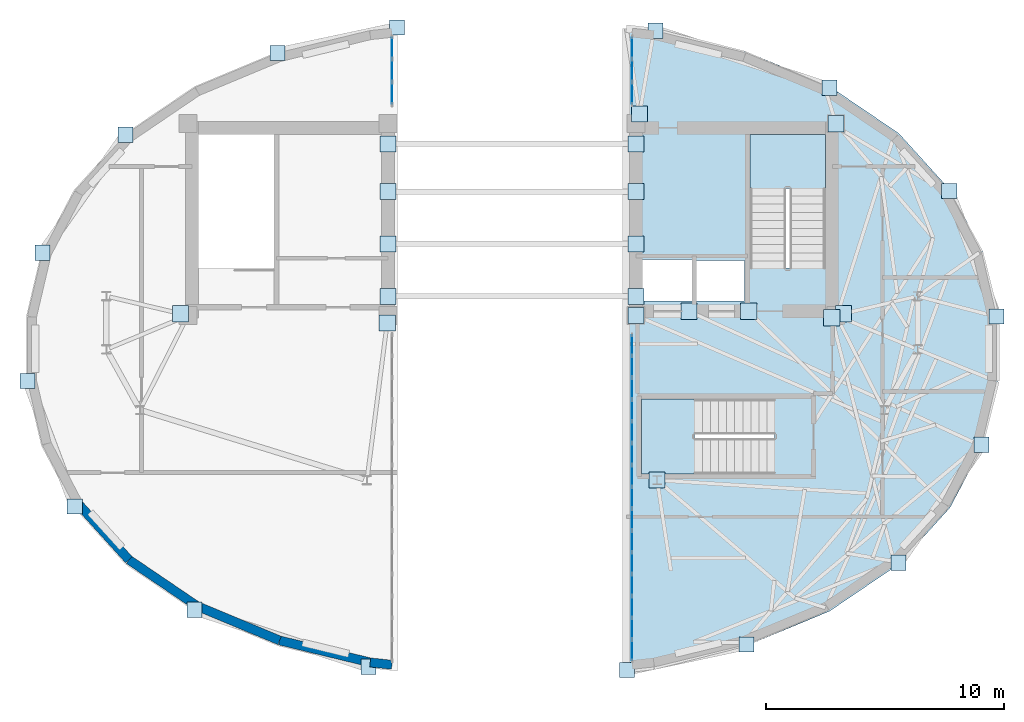
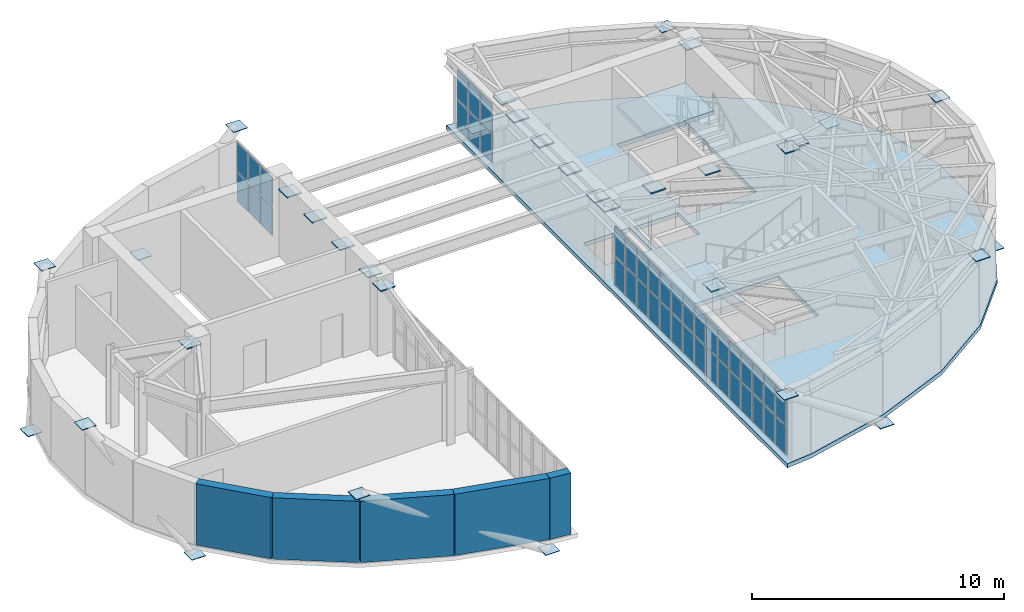
# One storey, part 8 of 13: 76 plates, 5 walls, 3 slabs, 5 elements without a shape of their own.
"""IFC4 building model written with IfcOpenShell, lengths in metres."""

from ifc_helpers import new_model, si_unit, direction, frame, frame_2d, origin, origin_2d, place, context, subcontext, project, spatial, polyline, rectangle, outline, extrude, material, layer, layer_set, type_object, element, aggregate, save


model = new_model("IFC4")

# Units and contexts
model_context = context("Model", 3, precision=1e-05, world=origin(), true_north=direction((0.0, 1.0)))
body_context = subcontext(model_context, "Body", "Model", "MODEL_VIEW")
ifc_project = project(units=[si_unit("LENGTHUNIT", "METRE"), si_unit("AREAUNIT", "SQUARE_METRE"), si_unit("VOLUMEUNIT", "CUBIC_METRE"), si_unit("PLANEANGLEUNIT", "RADIAN"), si_unit("MASSUNIT", "GRAM", prefix="KILO")], contexts=[model_context])

# Site, building, storey
site_placement = place(None, origin())
site = spatial("IfcSite", under=ifc_project, at=site_placement, CompositionType="ELEMENT")
building_placement = place(site_placement, origin())
building = spatial("IfcBuilding", under=site, at=building_placement, Name="Keldmark Tower", CompositionType="ELEMENT")
storey_placement = place(building_placement, frame((0.0, 0.0, 280.60009765625)))
storey = spatial("IfcBuildingStorey", under=building, at=storey_placement, Name="L79", CompositionType="ELEMENT", Elevation=280.60009765625)

# Plates
ifc_material_1 = material(Name="Steel ASTM A572 Grade 50", Category="steel")
ifc_layer_1 = layer(ifc_material_1, 0.06005859375)
ifc_layer_set_1 = layer_set([ifc_layer_1], Name="Steel ASTM A572 Grade 50")
plate_type_1 = type_object("IfcPlateType", Name="Belt Truss Kink Node Assembly KN01 60 mm", PredefinedType="USERDEFINED", material=ifc_layer_set_1)
for number, where, z_axis, x_axis, name in (
    (1, (-5.199951171875, 2.199951171875, 3.2666015625), (0.0, 0.0, 1.0), (1.0, 0.0, 0.0), "L79 Core Wall Cast-In Embed Plate 2236"),
    (2, (5.199951171875, 2.199951171875, 3.2666015625), (0.0, 0.0, 1.0), (1.0, 0.0, 0.0), "L79 Core Wall Cast-In Embed Plate 2237"),
    (3, (-5.199951171875, 4.39990234375, 3.2666015625), (0.0, 0.0, 1.0), (1.0, 0.0, 0.0), "L79 Core Wall Cast-In Embed Plate 2238"),
    (4, (5.199951171875, 4.39990234375, 3.2666015625), (0.0, 0.0, 1.0), (1.0, 0.0, 0.0), "L79 Core Wall Cast-In Embed Plate 2239"),
    (5, (-5.199951171875, 6.60009765625, 3.2666015625), (0.0, 0.0, 1.0), (1.0, 0.0, 0.0), "L79 Core Wall Cast-In Embed Plate 2240"),
    (6, (5.199951171875, 6.60009765625, 3.2666015625), (0.0, 0.0, 1.0), (1.0, 0.0, 0.0), "L79 Core Wall Cast-In Embed Plate 2241"),
    (7, (-5.199951171875, 8.60009765625, 3.2666015625), (0.0, 0.0, 1.0), (1.0, 0.0, 0.0), "L79 Core Wall Cast-In Embed Plate 2242"),
    (8, (5.199951171875, 8.60009765625, 3.2666015625), (0.0, 0.0, 1.0), (1.0, 0.0, 0.0), "L79 Core Wall Cast-In Embed Plate 2243"),
    (9, (13.91162109375, 1.473388671875, 3.30810546875), (0.0, 0.0, 1.0), (1.0, 0.0, 0.0), "L79 Core Wall Cast-In Embed Plate 2244"),
    (10, (-13.91162109375, 1.473388671875, 3.30810546875), (0.0, 0.0, 1.0), (1.0, 0.0, 0.0), "L79 Core Wall Cast-In Embed Plate 2245"),
    (11, (-5.24072265625, 1.08251953125, 3.30810546875), (0.0, 0.0, 1.0), (1.0, 0.0, 0.0), "L79 Core Wall Cast-In Embed Plate 2246"),
    (12, (5.199951171875, 1.39990234375, 3.30810546875), (0.0, 0.0, 1.0), (1.0, 0.0, 0.0), "L79 Core Wall Cast-In Embed Plate 2247"),
    (13, (7.43212890625, 1.574951171875, 3.30810546875), (0.0, 0.0, 1.0), (1.0, 0.0, 0.0), "L79 Core Wall Cast-In Embed Plate 2248"),
    (14, (9.939208984375, 1.574951171875, 3.30810546875), (0.0, 0.0, 1.0), (1.0, 0.0, 0.0), "L79 Core Wall Cast-In Embed Plate 2249"),
    (15, (13.425048828125, 1.300048828125, 3.30810546875), (0.0, 0.0, 1.0), (1.0, 0.0, 0.0), "L79 Core Wall Cast-In Embed Plate 2250"),
    (16, (6.089599609375, -5.512939453125, 3.30810546875), (0.0, 0.0, 1.0), (1.0, 0.0, 0.0), "L79 Core Wall Cast-In Embed Plate 2251"),
    (17, (13.60009765625, 9.449951171875, 3.30810546875), (0.0, 0.0, 1.0), (1.0, 0.0, 0.0), "L79 Core Wall Cast-In Embed Plate 2252"),
    (18, (5.35009765625, 9.85009765625, 3.30810546875), (0.0, 0.0, 1.0), (1.0, 0.0, 0.0), "L79 Core Wall Cast-In Embed Plate 2253"),
):
    element("IfcPlate", number, at=place(storey_placement, frame(where, z_axis=z_axis, x_axis=x_axis)), inside=storey, type_object=plate_type_1, Name=name, ObjectType="CAP PLATE", PredefinedType="USERDEFINED", context=body_context, shape_type="SweptSolid", body=[
        extrude(rectangle(XDim=0.679931640625, YDim=0.679931640625, at=origin_2d()), origin(), (0.0, 0.0, 1.0), 0.054931640625),
    ])
ifc_material_2 = material(Name="Steel ASTM A572 Grade 50", Category="steel")
ifc_layer_2 = layer(ifc_material_2, 0.030029296875)
ifc_layer_set_2 = layer_set([ifc_layer_2], Name="Steel ASTM A572 Grade 50")
plate_type_2 = type_object("IfcPlateType", Name="Crown Frame End Cap Plate CP01 30 mm", PredefinedType="SHEET", material=ifc_layer_set_2)
for number, where, z_axis, x_axis, name in (
    (19, (6.023681640625, 13.351318359375, -0.46533203125), (0.0, 0.0, 1.0), (1.0, 0.0, 0.0), "L79 Crown Frame Node Cap E00-0"),
    (20, (13.329345703125, 10.955810546875, 3.3349609375), (0.0, 0.0, 1.0), (1.0, 0.0, 0.0), "L79 Crown Frame Node Cap E00-1"),
    (21, (18.353759765625, 6.618408203125, -0.46533203125), (0.0, 0.0, 1.0), (1.0, 0.0, 0.0), "L79 Crown Frame Node Cap E04-0"),
    (22, (20.33349609375, 1.3505859375, 3.3349609375), (0.0, 0.0, 1.0), (1.0, 0.0, 0.0), "L79 Crown Frame Node Cap E04-1"),
    (23, (19.7099609375, -4.032958984375, -0.46533203125), (0.0, 0.0, 1.0), (1.0, 0.0, 0.0), "L79 Crown Frame Node Cap E08-0"),
    (24, (16.22314453125, -8.98291015625, 3.3349609375), (0.0, 0.0, 1.0), (1.0, 0.0, 0.0), "L79 Crown Frame Node Cap E08-1"),
    (25, (9.84619140625, -12.416015625, -0.46533203125), (0.0, 0.0, 1.0), (1.0, 0.0, 0.0), "L79 Crown Frame Node Cap E12-0"),
    (26, (4.832763671875, -13.481689453125, 3.3349609375), (0.0, 0.0, 1.0), (1.0, 0.0, 0.0), "L79 Crown Frame Node Cap E12-1"),
    (27, (-6.023681640625, -13.351318359375, -0.46533203125), (0.0, 0.0, 1.0), (1.0, 0.0, 0.0), "L79 Crown Frame Node Cap W00-0"),
    (28, (-13.329345703125, -10.955810546875, 3.3349609375), (0.0, 0.0, 1.0), (1.0, 0.0, 0.0), "L79 Crown Frame Node Cap W00-1"),
    (29, (-18.353759765625, -6.618408203125, -0.46533203125), (0.0, 0.0, 1.0), (1.0, 0.0, 0.0), "L79 Crown Frame Node Cap W04-0"),
    (30, (-20.33349609375, -1.3505859375, 3.3349609375), (0.0, 0.0, 1.0), (1.0, 0.0, 0.0), "L79 Crown Frame Node Cap W04-1"),
    (31, (-19.7099609375, 4.032958984375, -0.46533203125), (0.0, 0.0, 1.0), (1.0, 0.0, 0.0), "L79 Crown Frame Node Cap W08-0"),
    (32, (-16.22314453125, 8.98291015625, 3.3349609375), (0.0, 0.0, 1.0), (1.0, 0.0, 0.0), "L79 Crown Frame Node Cap W08-1"),
    (33, (-9.84619140625, 12.416015625, -0.46533203125), (0.0, 0.0, 1.0), (1.0, 0.0, 0.0), "L79 Crown Frame Node Cap W12-0"),
    (34, (-4.832763671875, 13.481689453125, 3.3349609375), (0.0, 0.0, 1.0), (1.0, 0.0, 0.0), "L79 Crown Frame Node Cap W12-1"),
):
    element("IfcPlate", number, at=place(storey_placement, frame(where, z_axis=z_axis, x_axis=x_axis)), inside=storey, type_object=plate_type_2, Name=name, PredefinedType="SHEET", context=body_context, shape_type="SweptSolid", body=[
        extrude(rectangle(XDim=0.639892578125, YDim=0.639892578125, at=origin_2d()), origin(), (0.0, 0.0, 1.0), 0.030029296875),
    ])

# Slab
ifc_material_3 = material(Name="Concrete C35/45", Category="concrete")
ifc_layer_3 = layer(ifc_material_3, 0.199951171875)
ifc_layer_set_3 = layer_set([ifc_layer_3], Name="Concrete C35/45")
slab_type_1 = type_object("IfcSlabType", Name="Low-Rise Office Composite Slab 200 mm", PredefinedType="FLOOR", material=ifc_layer_set_3)
slab_1_placement = place(storey_placement, frame((0.0, 0.0, -0.2001953125)))
element("IfcSlab", 35, at=slab_1_placement, inside=storey, type_object=slab_type_1, Name="L79 East Crown Plant Floor Slab", PredefinedType="FLOOR", context=body_context, shape_type="SweptSolid", body=[
    extrude(outline(polyline([(5.994140625, 13.403564453125), (9.8291015625, 12.473388671875), (13.327880859375, 11.015869140625), (16.239990234375, 9.04052734375), (18.388916015625, 6.667236328125), (19.760009765625, 4.06591796875), (20.392333984375, 1.3623046875), (20.392333984375, -1.3623046875), (19.760009765625, -4.06591796875), (18.388916015625, -6.667236328125), (16.239990234375, -9.04052734375), (13.327880859375, -11.015869140625), (9.8291015625, -12.473388671875), (5.994140625, -13.403564453125), (4.800048828125, -13.531982421875), (4.800048828125, 13.531982421875), (5.994140625, 13.403564453125)]), holes=[polyline([(13.14990234375, 3.385009765625), (13.14990234375, 9.0), (10.0, 9.0), (10.0, 3.385009765625), (13.14990234375, 3.385009765625)]), polyline([(11.014892578125, -2.10009765625), (5.43994140625, -2.10009765625), (5.43994140625, -5.25), (11.014892578125, -5.25), (11.014892578125, -2.10009765625)]), polyline([(7.75, 2.0), (9.75, 2.0), (9.75, 3.699951171875), (7.75, 3.699951171875), (7.75, 2.0)]), polyline([(5.449951171875, 2.0), (7.550048828125, 2.0), (7.550048828125, 3.75), (5.449951171875, 3.75), (5.449951171875, 2.0)])]), origin(), (0.0, 0.0, 1.0), 0.2001953125),
])

# Stair, slab
ifc_material_4 = material(Name="Concrete C40/50", Category="concrete")
stair_type = type_object("IfcStairType", Name="Precast Concrete Core Exit Stair", PredefinedType="HALF_TURN_STAIR", material=ifc_material_4)
stair_1_placement = place(storey_placement, origin())
stair_1 = element("IfcStair", 36, at=stair_1_placement, inside=storey, type_object=stair_type, Name="L79 Exit Stair ST2", PredefinedType="HALF_TURN_STAIR")
ifc_material_5 = material(Name="Concrete C40/50", Category="concrete")
ifc_layer_4 = layer(ifc_material_5, 0.199951171875)
ifc_layer_set_4 = layer_set([ifc_layer_4], Name="Concrete C40/50")
slab_type_2 = type_object("IfcSlabType", Name="Reinforced Concrete Stair Landing 200 mm", PredefinedType="LANDING", material=ifc_layer_set_4)
slab_2_placement = place(storey_placement, frame((0.0, 0.0, 1.699951171875)))
slab_2 = element("IfcSlab", 37, at=slab_2_placement, type_object=slab_type_2, Name="ST2 landing 1", PredefinedType="LANDING", context=body_context, shape_type="SweptSolid", body=[
    extrude(outline(polyline([(13.14990234375, 6.72998046875), (13.14990234375, 9.0), (10.0, 9.0), (10.0, 6.72998046875), (13.14990234375, 6.72998046875)])), origin(), (0.0, 0.0, 1.0), 0.199951171875),
])
aggregate(stair_1, [slab_2])

stair_2_placement = place(storey_placement, origin())
stair_2 = element("IfcStair", 38, at=stair_2_placement, inside=storey, type_object=stair_type, Name="L79 East Crown Exit Stair ST4", PredefinedType="HALF_TURN_STAIR")
slab_3_placement = place(storey_placement, frame((0.0, 0.0, 1.699951171875)))
slab_3 = element("IfcSlab", 39, at=slab_3_placement, type_object=slab_type_2, Name="ST4 landing 1", PredefinedType="LANDING", context=body_context, shape_type="SweptSolid", body=[
    extrude(outline(polyline([(7.669921875, -2.10009765625), (5.43994140625, -2.10009765625), (5.43994140625, -5.25), (7.669921875, -5.25), (7.669921875, -2.10009765625)])), origin(), (0.0, 0.0, 1.0), 0.199951171875),
])
aggregate(stair_2, [slab_3])

# Curtain wall, plates
ifc_material_6 = material(Name="Unitized Thermally Broken Aluminum and Triple Low-E Glazing", Category="aluminium")
ifc_layer_5 = layer(ifc_material_6, 0.219970703125)
ifc_layer_set_5 = layer_set([ifc_layer_5], Name="Unitized Thermally Broken Aluminum and Triple Low-E Glazing")
curtain_wall_type = type_object("IfcCurtainWallType", Name="Split-Top Crown Lantern Curtain Wall System", PredefinedType="NOTDEFINED", material=ifc_layer_set_5)
curtain_wall_1_placement = place(storey_placement, origin())
curtain_wall_1 = element("IfcCurtainWall", 40, at=curtain_wall_1_placement, inside=storey, type_object=curtain_wall_type, Name="L79 Split-Top Crown Lantern Curtain Wall System CW-L79-ES14-0", PredefinedType="NOTDEFINED")
ifc_material_7 = material(Name="Triple Silver Low-E Insulated Glass Unit", Category="glass")
ifc_layer_6 = layer(ifc_material_7, 0.035888671875)
ifc_layer_set_6 = layer_set([ifc_layer_6], Name="Triple Silver Low-E Insulated Glass Unit")
plate_type_3 = type_object("IfcPlateType", Name="Triple Low-E Vision Glazing Panel 36 mm", PredefinedType="CURTAIN_PANEL", material=ifc_layer_set_6)
plate_1_placement = place(storey_placement, frame((5.0400390625, 12.627197265625, 0.059814453125), z_axis=(0.0, 0.0, 1.0), x_axis=(0.0, -1.0, 0.0)))
plate_1 = element("IfcPlate", 41, at=plate_1_placement, type_object=plate_type_3, Name="CW panel 1.1", PredefinedType="CURTAIN_PANEL", context=body_context, shape_type="SweptSolid", body=[
    extrude(rectangle(XDim=0.87548828125, YDim=0.035888671875, at=origin_2d()), origin(), (0.0, 0.0, 1.0), 1.39306640625),
])
plate_2_placement = place(storey_placement, frame((5.0400390625, 12.627197265625, 1.512939453125), z_axis=(0.0, 0.0, 1.0), x_axis=(0.0, -1.0, 0.0)))
plate_2 = element("IfcPlate", 42, at=plate_2_placement, type_object=plate_type_3, Name="CW panel 1.2", PredefinedType="CURTAIN_PANEL", context=body_context, shape_type="SweptSolid", body=[
    extrude(rectangle(XDim=0.87548828125, YDim=0.035888671875, at=origin_2d()), origin(), (0.0, 0.0, 1.0), 1.39306640625),
])
plate_3_placement = place(storey_placement, frame((5.0400390625, 11.6767578125, 0.059814453125), z_axis=(0.0, 0.0, 1.0), x_axis=(0.0, -1.0, 0.0)))
plate_3 = element("IfcPlate", 43, at=plate_3_placement, type_object=plate_type_3, Name="CW panel 2.1", PredefinedType="CURTAIN_PANEL", context=body_context, shape_type="SweptSolid", body=[
    extrude(rectangle(XDim=0.905517578125, YDim=0.035888671875, at=origin_2d()), origin(), (0.0, 0.0, 1.0), 1.39306640625),
])
plate_4_placement = place(storey_placement, frame((5.0400390625, 11.6767578125, 1.512939453125), z_axis=(0.0, 0.0, 1.0), x_axis=(0.0, -1.0, 0.0)))
plate_4 = element("IfcPlate", 44, at=plate_4_placement, type_object=plate_type_3, Name="CW panel 2.2", PredefinedType="CURTAIN_PANEL", context=body_context, shape_type="SweptSolid", body=[
    extrude(rectangle(XDim=0.905517578125, YDim=0.035888671875, at=origin_2d()), origin(), (0.0, 0.0, 1.0), 1.39306640625),
])
plate_5_placement = place(storey_placement, frame((5.0400390625, 10.726318359375, 0.059814453125), z_axis=(0.0, 0.0, 1.0), x_axis=(0.0, -1.0, 0.0)))
plate_5 = element("IfcPlate", 45, at=plate_5_placement, type_object=plate_type_3, Name="CW panel 3.1", PredefinedType="CURTAIN_PANEL", context=body_context, shape_type="SweptSolid", body=[
    extrude(rectangle(XDim=0.87548828125, YDim=0.035888671875, at=origin_2d()), origin(), (0.0, 0.0, 1.0), 1.39306640625),
])
plate_6_placement = place(storey_placement, frame((5.0400390625, 10.726318359375, 1.512939453125), z_axis=(0.0, 0.0, 1.0), x_axis=(0.0, -1.0, 0.0)))
plate_6 = element("IfcPlate", 46, at=plate_6_placement, type_object=plate_type_3, Name="CW panel 3.2", PredefinedType="CURTAIN_PANEL", context=body_context, shape_type="SweptSolid", body=[
    extrude(rectangle(XDim=0.87548828125, YDim=0.035888671875, at=origin_2d()), origin(), (0.0, 0.0, 1.0), 1.39306640625),
])
aggregate(curtain_wall_1, [plate_1, plate_2, plate_3, plate_4, plate_5, plate_6])

curtain_wall_2_placement = place(storey_placement, origin())
curtain_wall_2 = element("IfcCurtainWall", 47, at=curtain_wall_2_placement, inside=storey, type_object=curtain_wall_type, Name="L79 Split-Top Crown Lantern Curtain Wall System CW-L79-ES14-1", PredefinedType="NOTDEFINED")
plate_7_placement = place(storey_placement, frame((5.0400390625, 0.148193359375, 0.059814453125), z_axis=(0.0, 0.0, 1.0), x_axis=(0.0, -1.0, 0.0)))
plate_7 = element("IfcPlate", 48, at=plate_7_placement, type_object=plate_type_3, Name="CW panel 1.1", PredefinedType="CURTAIN_PANEL", context=body_context, shape_type="SweptSolid", body=[
    extrude(rectangle(XDim=0.826416015625, YDim=0.035888671875, at=origin_2d()), origin(), (0.0, 0.0, 1.0), 1.39306640625),
])
plate_8_placement = place(storey_placement, frame((5.0400390625, 0.148193359375, 1.512939453125), z_axis=(0.0, 0.0, 1.0), x_axis=(0.0, -1.0, 0.0)))
plate_8 = element("IfcPlate", 49, at=plate_8_placement, type_object=plate_type_3, Name="CW panel 1.2", PredefinedType="CURTAIN_PANEL", context=body_context, shape_type="SweptSolid", body=[
    extrude(rectangle(XDim=0.826416015625, YDim=0.035888671875, at=origin_2d()), origin(), (0.0, 0.0, 1.0), 1.39306640625),
])
plate_9_placement = place(storey_placement, frame((5.0400390625, -0.753173828125, 0.059814453125), z_axis=(0.0, 0.0, 1.0), x_axis=(0.0, -1.0, 0.0)))
plate_9 = element("IfcPlate", 50, at=plate_9_placement, type_object=plate_type_3, Name="CW panel 2.1", PredefinedType="CURTAIN_PANEL", context=body_context, shape_type="SweptSolid", body=[
    extrude(rectangle(XDim=0.8564453125, YDim=0.035888671875, at=origin_2d()), origin(), (0.0, 0.0, 1.0), 1.39306640625),
])
plate_10_placement = place(storey_placement, frame((5.0400390625, -0.753173828125, 1.512939453125), z_axis=(0.0, 0.0, 1.0), x_axis=(0.0, -1.0, 0.0)))
plate_10 = element("IfcPlate", 51, at=plate_10_placement, type_object=plate_type_3, Name="CW panel 2.2", PredefinedType="CURTAIN_PANEL", context=body_context, shape_type="SweptSolid", body=[
    extrude(rectangle(XDim=0.8564453125, YDim=0.035888671875, at=origin_2d()), origin(), (0.0, 0.0, 1.0), 1.39306640625),
])
plate_11_placement = place(storey_placement, frame((5.0400390625, -1.66943359375, 0.059814453125), z_axis=(0.0, 0.0, 1.0), x_axis=(0.0, -1.0, 0.0)))
plate_11 = element("IfcPlate", 52, at=plate_11_placement, type_object=plate_type_3, Name="CW panel 3.1", PredefinedType="CURTAIN_PANEL", context=body_context, shape_type="SweptSolid", body=[
    extrude(rectangle(XDim=0.8564453125, YDim=0.035888671875, at=origin_2d()), origin(), (0.0, 0.0, 1.0), 1.39306640625),
])
plate_12_placement = place(storey_placement, frame((5.0400390625, -1.66943359375, 1.512939453125), z_axis=(0.0, 0.0, 1.0), x_axis=(0.0, -1.0, 0.0)))
plate_12 = element("IfcPlate", 53, at=plate_12_placement, type_object=plate_type_3, Name="CW panel 3.2", PredefinedType="CURTAIN_PANEL", context=body_context, shape_type="SweptSolid", body=[
    extrude(rectangle(XDim=0.8564453125, YDim=0.035888671875, at=origin_2d()), origin(), (0.0, 0.0, 1.0), 1.39306640625),
])
plate_13_placement = place(storey_placement, frame((5.0400390625, -2.5859375, 0.059814453125), z_axis=(0.0, 0.0, 1.0), x_axis=(0.0, -1.0, 0.0)))
plate_13 = element("IfcPlate", 54, at=plate_13_placement, type_object=plate_type_3, Name="CW panel 4.1", PredefinedType="CURTAIN_PANEL", context=body_context, shape_type="SweptSolid", body=[
    extrude(rectangle(XDim=0.8564453125, YDim=0.035888671875, at=origin_2d()), origin(), (0.0, 0.0, 1.0), 1.39306640625),
])
plate_14_placement = place(storey_placement, frame((5.0400390625, -2.5859375, 1.512939453125), z_axis=(0.0, 0.0, 1.0), x_axis=(0.0, -1.0, 0.0)))
plate_14 = element("IfcPlate", 55, at=plate_14_placement, type_object=plate_type_3, Name="CW panel 4.2", PredefinedType="CURTAIN_PANEL", context=body_context, shape_type="SweptSolid", body=[
    extrude(rectangle(XDim=0.8564453125, YDim=0.035888671875, at=origin_2d()), origin(), (0.0, 0.0, 1.0), 1.39306640625),
])
plate_15_placement = place(storey_placement, frame((5.0400390625, -3.50244140625, 0.059814453125), z_axis=(0.0, 0.0, 1.0), x_axis=(0.0, -1.0, 0.0)))
plate_15 = element("IfcPlate", 56, at=plate_15_placement, type_object=plate_type_3, Name="CW panel 5.1", PredefinedType="CURTAIN_PANEL", context=body_context, shape_type="SweptSolid", body=[
    extrude(rectangle(XDim=0.8564453125, YDim=0.035888671875, at=origin_2d()), origin(), (0.0, 0.0, 1.0), 1.39306640625),
])
plate_16_placement = place(storey_placement, frame((5.0400390625, -3.50244140625, 1.512939453125), z_axis=(0.0, 0.0, 1.0), x_axis=(0.0, -1.0, 0.0)))
plate_16 = element("IfcPlate", 57, at=plate_16_placement, type_object=plate_type_3, Name="CW panel 5.2", PredefinedType="CURTAIN_PANEL", context=body_context, shape_type="SweptSolid", body=[
    extrude(rectangle(XDim=0.8564453125, YDim=0.035888671875, at=origin_2d()), origin(), (0.0, 0.0, 1.0), 1.39306640625),
])
plate_17_placement = place(storey_placement, frame((5.0400390625, -4.418701171875, 0.059814453125), z_axis=(0.0, 0.0, 1.0), x_axis=(0.0, -1.0, 0.0)))
plate_17 = element("IfcPlate", 58, at=plate_17_placement, type_object=plate_type_3, Name="CW panel 6.1", PredefinedType="CURTAIN_PANEL", context=body_context, shape_type="SweptSolid", body=[
    extrude(rectangle(XDim=0.8564453125, YDim=0.035888671875, at=origin_2d()), origin(), (0.0, 0.0, 1.0), 1.39306640625),
])
plate_18_placement = place(storey_placement, frame((5.0400390625, -4.418701171875, 1.512939453125), z_axis=(0.0, 0.0, 1.0), x_axis=(0.0, -1.0, 0.0)))
plate_18 = element("IfcPlate", 59, at=plate_18_placement, type_object=plate_type_3, Name="CW panel 6.2", PredefinedType="CURTAIN_PANEL", context=body_context, shape_type="SweptSolid", body=[
    extrude(rectangle(XDim=0.8564453125, YDim=0.035888671875, at=origin_2d()), origin(), (0.0, 0.0, 1.0), 1.39306640625),
])
plate_19_placement = place(storey_placement, frame((5.0400390625, -5.335205078125, 0.059814453125), z_axis=(0.0, 0.0, 1.0), x_axis=(0.0, -1.0, 0.0)))
plate_19 = element("IfcPlate", 60, at=plate_19_placement, type_object=plate_type_3, Name="CW panel 7.1", PredefinedType="CURTAIN_PANEL", context=body_context, shape_type="SweptSolid", body=[
    extrude(rectangle(XDim=0.8564453125, YDim=0.035888671875, at=origin_2d()), origin(), (0.0, 0.0, 1.0), 1.39306640625),
])
plate_20_placement = place(storey_placement, frame((5.0400390625, -5.335205078125, 1.512939453125), z_axis=(0.0, 0.0, 1.0), x_axis=(0.0, -1.0, 0.0)))
plate_20 = element("IfcPlate", 61, at=plate_20_placement, type_object=plate_type_3, Name="CW panel 7.2", PredefinedType="CURTAIN_PANEL", context=body_context, shape_type="SweptSolid", body=[
    extrude(rectangle(XDim=0.8564453125, YDim=0.035888671875, at=origin_2d()), origin(), (0.0, 0.0, 1.0), 1.39306640625),
])
plate_21_placement = place(storey_placement, frame((5.0400390625, -6.251708984375, 0.059814453125), z_axis=(0.0, 0.0, 1.0), x_axis=(0.0, -1.0, 0.0)))
plate_21 = element("IfcPlate", 62, at=plate_21_placement, type_object=plate_type_3, Name="CW panel 8.1", PredefinedType="CURTAIN_PANEL", context=body_context, shape_type="SweptSolid", body=[
    extrude(rectangle(XDim=0.8564453125, YDim=0.035888671875, at=origin_2d()), origin(), (0.0, 0.0, 1.0), 1.39306640625),
])
plate_22_placement = place(storey_placement, frame((5.0400390625, -6.251708984375, 1.512939453125), z_axis=(0.0, 0.0, 1.0), x_axis=(0.0, -1.0, 0.0)))
plate_22 = element("IfcPlate", 63, at=plate_22_placement, type_object=plate_type_3, Name="CW panel 8.2", PredefinedType="CURTAIN_PANEL", context=body_context, shape_type="SweptSolid", body=[
    extrude(rectangle(XDim=0.8564453125, YDim=0.035888671875, at=origin_2d()), origin(), (0.0, 0.0, 1.0), 1.39306640625),
])
plate_23_placement = place(storey_placement, frame((5.0400390625, -7.16796875, 0.059814453125), z_axis=(0.0, 0.0, 1.0), x_axis=(0.0, -1.0, 0.0)))
plate_23 = element("IfcPlate", 64, at=plate_23_placement, type_object=plate_type_3, Name="CW panel 9.1", PredefinedType="CURTAIN_PANEL", context=body_context, shape_type="SweptSolid", body=[
    extrude(rectangle(XDim=0.8564453125, YDim=0.035888671875, at=origin_2d()), origin(), (0.0, 0.0, 1.0), 1.39306640625),
])
plate_24_placement = place(storey_placement, frame((5.0400390625, -7.16796875, 1.512939453125), z_axis=(0.0, 0.0, 1.0), x_axis=(0.0, -1.0, 0.0)))
plate_24 = element("IfcPlate", 65, at=plate_24_placement, type_object=plate_type_3, Name="CW panel 9.2", PredefinedType="CURTAIN_PANEL", context=body_context, shape_type="SweptSolid", body=[
    extrude(rectangle(XDim=0.8564453125, YDim=0.035888671875, at=origin_2d()), origin(), (0.0, 0.0, 1.0), 1.39306640625),
])
plate_25_placement = place(storey_placement, frame((5.0400390625, -8.08447265625, 0.059814453125), z_axis=(0.0, 0.0, 1.0), x_axis=(0.0, -1.0, 0.0)))
plate_25 = element("IfcPlate", 66, at=plate_25_placement, type_object=plate_type_3, Name="CW panel 10.1", PredefinedType="CURTAIN_PANEL", context=body_context, shape_type="SweptSolid", body=[
    extrude(rectangle(XDim=0.8564453125, YDim=0.035888671875, at=origin_2d()), origin(), (0.0, 0.0, 1.0), 1.39306640625),
])
plate_26_placement = place(storey_placement, frame((5.0400390625, -8.08447265625, 1.512939453125), z_axis=(0.0, 0.0, 1.0), x_axis=(0.0, -1.0, 0.0)))
plate_26 = element("IfcPlate", 67, at=plate_26_placement, type_object=plate_type_3, Name="CW panel 10.2", PredefinedType="CURTAIN_PANEL", context=body_context, shape_type="SweptSolid", body=[
    extrude(rectangle(XDim=0.8564453125, YDim=0.035888671875, at=origin_2d()), origin(), (0.0, 0.0, 1.0), 1.39306640625),
])
plate_27_placement = place(storey_placement, frame((5.0400390625, -9.0009765625, 0.059814453125), z_axis=(0.0, 0.0, 1.0), x_axis=(0.0, -1.0, 0.0)))
plate_27 = element("IfcPlate", 68, at=plate_27_placement, type_object=plate_type_3, Name="CW panel 11.1", PredefinedType="CURTAIN_PANEL", context=body_context, shape_type="SweptSolid", body=[
    extrude(rectangle(XDim=0.8564453125, YDim=0.035888671875, at=origin_2d()), origin(), (0.0, 0.0, 1.0), 1.39306640625),
])
plate_28_placement = place(storey_placement, frame((5.0400390625, -9.0009765625, 1.512939453125), z_axis=(0.0, 0.0, 1.0), x_axis=(0.0, -1.0, 0.0)))
plate_28 = element("IfcPlate", 69, at=plate_28_placement, type_object=plate_type_3, Name="CW panel 11.2", PredefinedType="CURTAIN_PANEL", context=body_context, shape_type="SweptSolid", body=[
    extrude(rectangle(XDim=0.8564453125, YDim=0.035888671875, at=origin_2d()), origin(), (0.0, 0.0, 1.0), 1.39306640625),
])
plate_29_placement = place(storey_placement, frame((5.0400390625, -9.917236328125, 0.059814453125), z_axis=(0.0, 0.0, 1.0), x_axis=(0.0, -1.0, 0.0)))
plate_29 = element("IfcPlate", 70, at=plate_29_placement, type_object=plate_type_3, Name="CW panel 12.1", PredefinedType="CURTAIN_PANEL", context=body_context, shape_type="SweptSolid", body=[
    extrude(rectangle(XDim=0.8564453125, YDim=0.035888671875, at=origin_2d()), origin(), (0.0, 0.0, 1.0), 1.39306640625),
])
plate_30_placement = place(storey_placement, frame((5.0400390625, -9.917236328125, 1.512939453125), z_axis=(0.0, 0.0, 1.0), x_axis=(0.0, -1.0, 0.0)))
plate_30 = element("IfcPlate", 71, at=plate_30_placement, type_object=plate_type_3, Name="CW panel 12.2", PredefinedType="CURTAIN_PANEL", context=body_context, shape_type="SweptSolid", body=[
    extrude(rectangle(XDim=0.8564453125, YDim=0.035888671875, at=origin_2d()), origin(), (0.0, 0.0, 1.0), 1.39306640625),
])
plate_31_placement = place(storey_placement, frame((5.0400390625, -10.833740234375, 0.059814453125), z_axis=(0.0, 0.0, 1.0), x_axis=(0.0, -1.0, 0.0)))
plate_31 = element("IfcPlate", 72, at=plate_31_placement, type_object=plate_type_3, Name="CW panel 13.1", PredefinedType="CURTAIN_PANEL", context=body_context, shape_type="SweptSolid", body=[
    extrude(rectangle(XDim=0.8564453125, YDim=0.035888671875, at=origin_2d()), origin(), (0.0, 0.0, 1.0), 1.39306640625),
])
plate_32_placement = place(storey_placement, frame((5.0400390625, -10.833740234375, 1.512939453125), z_axis=(0.0, 0.0, 1.0), x_axis=(0.0, -1.0, 0.0)))
plate_32 = element("IfcPlate", 73, at=plate_32_placement, type_object=plate_type_3, Name="CW panel 13.2", PredefinedType="CURTAIN_PANEL", context=body_context, shape_type="SweptSolid", body=[
    extrude(rectangle(XDim=0.8564453125, YDim=0.035888671875, at=origin_2d()), origin(), (0.0, 0.0, 1.0), 1.39306640625),
])
plate_33_placement = place(storey_placement, frame((5.0400390625, -11.750244140625, 0.059814453125), z_axis=(0.0, 0.0, 1.0), x_axis=(0.0, -1.0, 0.0)))
plate_33 = element("IfcPlate", 74, at=plate_33_placement, type_object=plate_type_3, Name="CW panel 14.1", PredefinedType="CURTAIN_PANEL", context=body_context, shape_type="SweptSolid", body=[
    extrude(rectangle(XDim=0.8564453125, YDim=0.035888671875, at=origin_2d()), origin(), (0.0, 0.0, 1.0), 1.39306640625),
])
plate_34_placement = place(storey_placement, frame((5.0400390625, -11.750244140625, 1.512939453125), z_axis=(0.0, 0.0, 1.0), x_axis=(0.0, -1.0, 0.0)))
plate_34 = element("IfcPlate", 75, at=plate_34_placement, type_object=plate_type_3, Name="CW panel 14.2", PredefinedType="CURTAIN_PANEL", context=body_context, shape_type="SweptSolid", body=[
    extrude(rectangle(XDim=0.8564453125, YDim=0.035888671875, at=origin_2d()), origin(), (0.0, 0.0, 1.0), 1.39306640625),
])
plate_35_placement = place(storey_placement, frame((5.0400390625, -12.651611328125, 0.059814453125), z_axis=(0.0, 0.0, 1.0), x_axis=(0.0, -1.0, 0.0)))
plate_35 = element("IfcPlate", 76, at=plate_35_placement, type_object=plate_type_3, Name="CW panel 15.1", PredefinedType="CURTAIN_PANEL", context=body_context, shape_type="SweptSolid", body=[
    extrude(rectangle(XDim=0.826416015625, YDim=0.035888671875, at=origin_2d()), origin(), (0.0, 0.0, 1.0), 1.39306640625),
])
plate_36_placement = place(storey_placement, frame((5.0400390625, -12.651611328125, 1.512939453125), z_axis=(0.0, 0.0, 1.0), x_axis=(0.0, -1.0, 0.0)))
plate_36 = element("IfcPlate", 77, at=plate_36_placement, type_object=plate_type_3, Name="CW panel 15.2", PredefinedType="CURTAIN_PANEL", context=body_context, shape_type="SweptSolid", body=[
    extrude(rectangle(XDim=0.826416015625, YDim=0.035888671875, at=origin_2d()), origin(), (0.0, 0.0, 1.0), 1.39306640625),
])
aggregate(curtain_wall_2, [plate_7, plate_8, plate_9, plate_10, plate_11, plate_12, plate_13, plate_14, plate_15, plate_16, plate_17, plate_18, plate_19, plate_20, plate_21, plate_22, plate_23, plate_24, plate_25, plate_26, plate_27, plate_28, plate_29, plate_30, plate_31, plate_32, plate_33, plate_34, plate_35, plate_36])

curtain_wall_3_placement = place(storey_placement, origin())
curtain_wall_3 = element("IfcCurtainWall", 78, at=curtain_wall_3_placement, inside=storey, type_object=curtain_wall_type, Name="L79 Split-Top Crown Lantern Curtain Wall System CW-L79-WS14-1", PredefinedType="NOTDEFINED")
plate_37_placement = place(storey_placement, frame((-5.0400390625, 10.726318359375, 0.059814453125), z_axis=(0.0, 0.0, 1.0), x_axis=(0.0, 1.0, 0.0)))
plate_37 = element("IfcPlate", 79, at=plate_37_placement, type_object=plate_type_3, Name="CW panel 1.1", PredefinedType="CURTAIN_PANEL", context=body_context, shape_type="SweptSolid", body=[
    extrude(rectangle(XDim=0.87548828125, YDim=0.035888671875, at=origin_2d()), origin(), (0.0, 0.0, 1.0), 1.39306640625),
])
plate_38_placement = place(storey_placement, frame((-5.0400390625, 10.726318359375, 1.512939453125), z_axis=(0.0, 0.0, 1.0), x_axis=(0.0, 1.0, 0.0)))
plate_38 = element("IfcPlate", 80, at=plate_38_placement, type_object=plate_type_3, Name="CW panel 1.2", PredefinedType="CURTAIN_PANEL", context=body_context, shape_type="SweptSolid", body=[
    extrude(rectangle(XDim=0.87548828125, YDim=0.035888671875, at=origin_2d()), origin(), (0.0, 0.0, 1.0), 1.39306640625),
])
plate_39_placement = place(storey_placement, frame((-5.0400390625, 11.6767578125, 0.059814453125), z_axis=(0.0, 0.0, 1.0), x_axis=(0.0, 1.0, 0.0)))
plate_39 = element("IfcPlate", 81, at=plate_39_placement, type_object=plate_type_3, Name="CW panel 2.1", PredefinedType="CURTAIN_PANEL", context=body_context, shape_type="SweptSolid", body=[
    extrude(rectangle(XDim=0.905517578125, YDim=0.035888671875, at=origin_2d()), origin(), (0.0, 0.0, 1.0), 1.39306640625),
])
plate_40_placement = place(storey_placement, frame((-5.0400390625, 11.6767578125, 1.512939453125), z_axis=(0.0, 0.0, 1.0), x_axis=(0.0, 1.0, 0.0)))
plate_40 = element("IfcPlate", 82, at=plate_40_placement, type_object=plate_type_3, Name="CW panel 2.2", PredefinedType="CURTAIN_PANEL", context=body_context, shape_type="SweptSolid", body=[
    extrude(rectangle(XDim=0.905517578125, YDim=0.035888671875, at=origin_2d()), origin(), (0.0, 0.0, 1.0), 1.39306640625),
])
plate_41_placement = place(storey_placement, frame((-5.0400390625, 12.627197265625, 0.059814453125), z_axis=(0.0, 0.0, 1.0), x_axis=(0.0, 1.0, 0.0)))
plate_41 = element("IfcPlate", 83, at=plate_41_placement, type_object=plate_type_3, Name="CW panel 3.1", PredefinedType="CURTAIN_PANEL", context=body_context, shape_type="SweptSolid", body=[
    extrude(rectangle(XDim=0.87548828125, YDim=0.035888671875, at=origin_2d()), origin(), (0.0, 0.0, 1.0), 1.39306640625),
])
plate_42_placement = place(storey_placement, frame((-5.0400390625, 12.627197265625, 1.512939453125), z_axis=(0.0, 0.0, 1.0), x_axis=(0.0, 1.0, 0.0)))
plate_42 = element("IfcPlate", 84, at=plate_42_placement, type_object=plate_type_3, Name="CW panel 3.2", PredefinedType="CURTAIN_PANEL", context=body_context, shape_type="SweptSolid", body=[
    extrude(rectangle(XDim=0.87548828125, YDim=0.035888671875, at=origin_2d()), origin(), (0.0, 0.0, 1.0), 1.39306640625),
])
aggregate(curtain_wall_3, [plate_37, plate_38, plate_39, plate_40, plate_41, plate_42])

# Walls
ifc_material_8 = material(Name="Kasota Buff Limestone Ashlar Masonry", Category="masonry")
ifc_layer_7 = layer(ifc_material_8, 0.3798828125)
ifc_layer_set_7 = layer_set([ifc_layer_7], Name="Kasota Buff Limestone Ashlar Masonry")
wall_type = type_object("IfcWallType", Name="Crown Kasota Limestone Screen Wall 380 mm", PredefinedType="ELEMENTEDWALL", material=ifc_layer_set_7)
wall_1_placement = place(storey_placement, frame((-9.754150390625, -12.24462890625, 0.0), z_axis=(0.0, 0.0, 1.0), x_axis=(0.971829314356, -0.235685773347, 0.0)))
element("IfcWall", 85, at=wall_1_placement, inside=storey, type_object=wall_type, Name="L79 Crown Limestone Enclosure Wall W01", PredefinedType="ELEMENTEDWALL", context=body_context, shape_type="SweptSolid", body=[
    extrude(rectangle(XDim=3.911376953125, YDim=0.3798828125, at=frame_2d((1.95556640625, 0.0))), origin(), (0.0, 0.0, 1.0), 2.969970703125),
])
wall_2_placement = place(storey_placement, frame((-13.213134765625, -10.8037109375, 0.0), z_axis=(0.0, 0.0, 1.0), x_axis=(0.923107762436, -0.384541361794, 0.0)))
element("IfcWall", 86, at=wall_2_placement, inside=storey, type_object=wall_type, Name="L79 Crown Limestone Enclosure Wall W02", PredefinedType="ELEMENTEDWALL", context=body_context, shape_type="SweptSolid", body=[
    extrude(rectangle(XDim=3.7470703125, YDim=0.3798828125, at=frame_2d((1.87353515625, 0.0))), origin(), (0.0, 0.0, 1.0), 2.969970703125),
])
wall_3_placement = place(storey_placement, frame((-16.08154296875, -8.858154296875, 0.0), z_axis=(0.0, 0.0, 1.0), x_axis=(0.827591474152, -0.561330875608, 0.0)))
element("IfcWall", 87, at=wall_3_placement, inside=storey, type_object=wall_type, Name="L79 Crown Limestone Enclosure Wall W03", PredefinedType="ELEMENTEDWALL", context=body_context, shape_type="SweptSolid", body=[
    extrude(rectangle(XDim=3.466064453125, YDim=0.3798828125, at=frame_2d((1.73291015625, 0.0))), origin(), (0.0, 0.0, 1.0), 2.969970703125),
])
wall_4_placement = place(storey_placement, frame((-18.190673828125, -6.528564453125, 0.0), z_axis=(0.0, 0.0, 1.0), x_axis=(0.671159432859, -0.741313034881, 0.0)))
element("IfcWall", 88, at=wall_4_placement, inside=storey, type_object=wall_type, Name="L79 Crown Limestone Enclosure Wall W04", PredefinedType="ELEMENTEDWALL", context=body_context, shape_type="SweptSolid", body=[
    extrude(rectangle(XDim=3.142578125, YDim=0.3798828125, at=frame_2d((1.5712890625, 0.0))), origin(), (0.0, 0.0, 1.0), 2.969970703125),
])
wall_5_placement = place(storey_placement, frame((-5.952880859375, -13.16650390625, 0.0), z_axis=(0.0, 0.0, 1.0), x_axis=(0.994241555016, -0.107162168139, 0.0)))
element("IfcWall", 89, at=wall_5_placement, inside=storey, type_object=wall_type, Name="L79 Crown Limestone Enclosure Wall W16", PredefinedType="ELEMENTEDWALL", context=body_context, shape_type="SweptSolid", body=[
    extrude(rectangle(XDim=0.918212890625, YDim=0.3798828125, at=frame_2d((0.458984375, 0.0))), origin(), (0.0, 0.0, 1.0), 2.969970703125),
])

save(model, "model.ifc")
